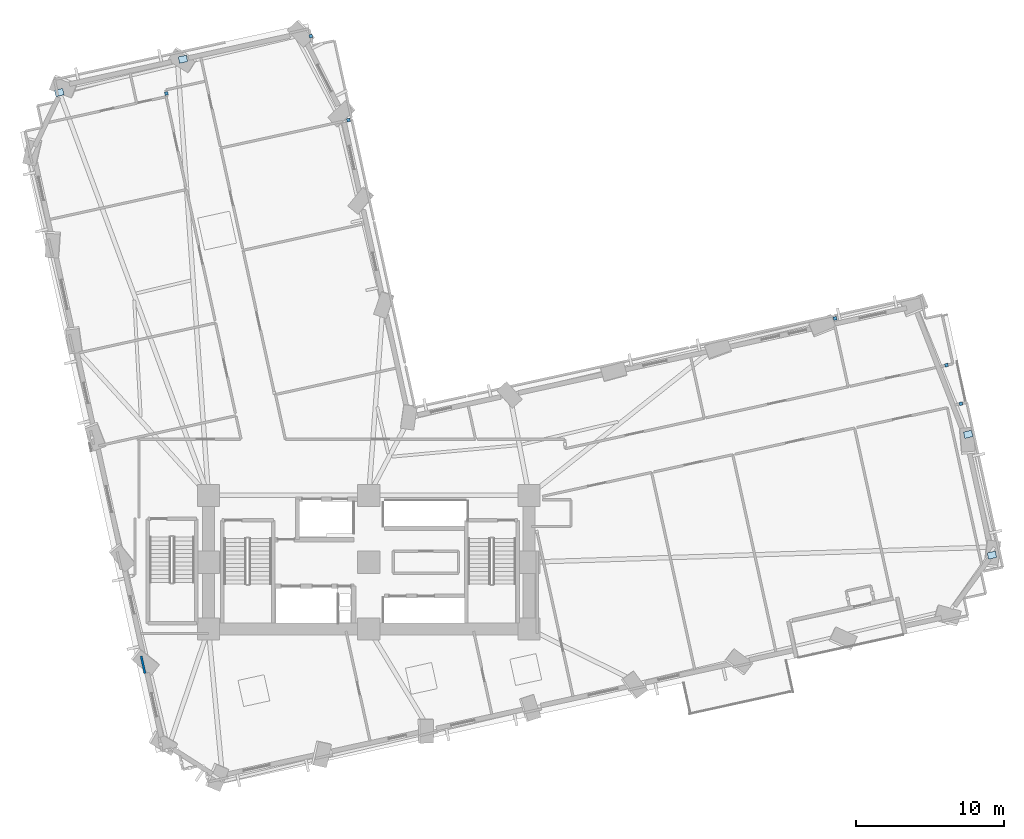
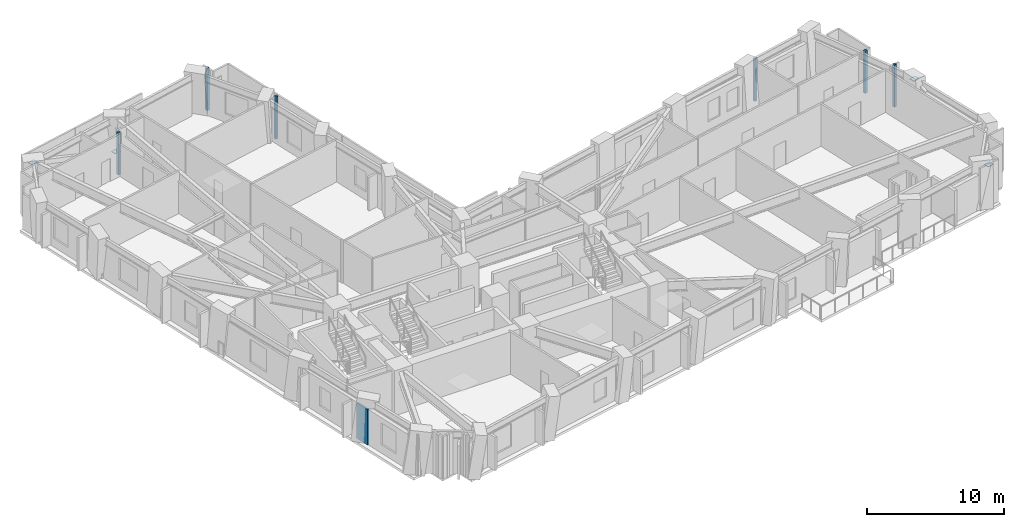
# One storey, part 5 of 14: 10 plates, 1 wall.
"""IFC4 building model written with IfcOpenShell, lengths in metres."""

from ifc_helpers import new_model, si_unit, direction, frame, frame_2d, origin, origin_2d, place, context, subcontext, project, spatial, rectangle, extrude, material, layer, layer_set, type_object, element, save


model = new_model("IFC4")

# Units and contexts
model_context = context("Model", 3, precision=1e-05, world=origin(), true_north=direction((0.0, 1.0)))
body_context = subcontext(model_context, "Body", "Model", "MODEL_VIEW")
ifc_project = project(units=[si_unit("LENGTHUNIT", "METRE"), si_unit("AREAUNIT", "SQUARE_METRE"), si_unit("VOLUMEUNIT", "CUBIC_METRE"), si_unit("PLANEANGLEUNIT", "RADIAN"), si_unit("MASSUNIT", "GRAM", prefix="KILO")], contexts=[model_context])

# Site, building, storey
site_placement = place(None, origin())
site = spatial("IfcSite", under=ifc_project, at=site_placement, CompositionType="ELEMENT")
building_placement = place(site_placement, origin())
building = spatial("IfcBuilding", under=site, at=building_placement, Name="Gaonmaruhae Medical Tower", CompositionType="ELEMENT")
storey_placement = place(building_placement, frame((0.0, 0.0, 75.0)))
storey = spatial("IfcBuildingStorey", under=building, at=storey_placement, Name="L17", CompositionType="ELEMENT", Elevation=75.0)

# Plates
ifc_material_1 = material(Name="Steel HSA650 (650 MPa)", Category="steel")
ifc_layer_1 = layer(ifc_material_1, 0.028076171875)
ifc_layer_set_1 = layer_set([ifc_layer_1], Name="Steel HSA650 (650 MPa)")
plate_type_1 = type_object("IfcPlateType", Name="GP-02 Tube Brace End Cap Gusset Plate", PredefinedType="USERDEFINED", material=ifc_layer_set_1)
for number, where, z_axis, x_axis, name in (
    (1, (66.791015625, 12.7705078125, 0.23583984375), (0.0, 0.0, 1.0), (0.976859298345, 0.213882938162, 0.0), "L17 Gusset Cap Plate PLT-L17-PBR-E01A"),
    (2, (65.19140625, 20.913330078125, 3.51611328125), (0.0, 0.0, 1.0), (0.973178872777, 0.230049737188, 0.0), "L17 Gusset Cap Plate PLT-L17-PBR-E01B"),
    (3, (12.28271484375, 46.185546875, 0.23583984375), (0.0, 0.0, 1.0), (0.976859298345, 0.213882938162, 0.0), "L17 Gusset Cap Plate PLT-L17-PBR-N02A"),
    (4, (3.950927734375, 43.942626953125, 3.51611328125), (0.0, 0.0, 1.0), (0.973178872777, 0.230049737188, 0.0), "L17 Gusset Cap Plate PLT-L17-PBR-N02B"),
):
    element("IfcPlate", number, at=place(storey_placement, frame(where, z_axis=z_axis, x_axis=x_axis)), inside=storey, type_object=plate_type_1, Name=name, ObjectType="GUSSET_PLATE", PredefinedType="USERDEFINED", context=body_context, shape_type="SweptSolid", body=[
        extrude(rectangle(XDim=0.56005859375, YDim=0.43994140625, at=origin_2d()), origin(), (0.0, 0.0, 1.0), 0.028076171875),
    ])
ifc_material_2 = material(Name="Anodised aluminium 6063-T6", Category="aluminium")
ifc_layer_2 = layer(ifc_material_2, 0.011962890625)
ifc_layer_set_2 = layer_set([ifc_layer_2], Name="Anodised aluminium 6063-T6")
plate_type_2 = type_object("IfcPlateType", Name="PP-01 Interior Partition Corner Stiffener Plate", PredefinedType="SHEET", material=ifc_layer_set_2)
for number, where, z_axis, x_axis, name in (
    (5, (63.73095703125, 25.572509765625, 0.0), (0.0, 0.0, 1.0), (-0.976795795002, -0.214172768731, 0.0), "L17 Partition Corner Stiffener Plate PLT-L17-JGP-PW075"),
    (6, (56.220458984375, 28.721435546875, 0.0), (0.0, 0.0, 1.0), (-0.214633049108, 0.97669476001, 0.0), "L17 Partition Corner Stiffener Plate PLT-L17-JGP-PW077"),
    (7, (23.4365234375, 42.08642578125, 0.0), (0.0, 0.0, 1.0), (0.976743433563, 0.214411438574, 0.0), "L17 Partition Corner Stiffener Plate PLT-L17-JGP-PW085"),
    (8, (20.8984375, 47.7470703125, 0.0), (0.0, 0.0, 1.0), (0.213115648775, -0.977026980307, 0.0), "L17 Partition Corner Stiffener Plate PLT-L17-JGP-PW090"),
    (9, (11.169921875, 43.883056640625, 0.0), (0.0, 0.0, 1.0), (0.214956921548, -0.976623531295, 0.0), "L17 Partition Corner Stiffener Plate PLT-L17-JGP-PW099"),
    (10, (64.699951171875, 22.9794921875, 0.0), (0.0, 0.0, 1.0), (0.976900342918, 0.213695390699, 0.0), "L17 Partition Corner Stiffener Plate PLT-L17-JGP-PW100"),
):
    element("IfcPlate", number, at=place(storey_placement, frame(where, z_axis=z_axis, x_axis=x_axis)), inside=storey, type_object=plate_type_2, Name=name, PredefinedType="SHEET", context=body_context, shape_type="SweptSolid", body=[
        extrude(rectangle(XDim=0.219970703125, YDim=0.219970703125, at=origin_2d()), origin(), (0.0, 0.0, 1.0), 3.780029296875),
    ])

# Wall
ifc_material_3 = material(Name="Gypsum board partition", Category="gypsum")
ifc_layer_3 = layer(ifc_material_3, 0.14990234375)
ifc_layer_set_3 = layer_set([ifc_layer_3], Name="Gypsum board partition")
wall_type = type_object("IfcWallType", Name="PW-150 Rated Clinical Corridor Partition", PredefinedType="PARTITIONING", material=ifc_layer_set_3)
wall_placement = place(storey_placement, frame((9.72412109375, 4.806884765625, 0.0), z_axis=(0.0, 0.0, 1.0), x_axis=(-0.214526259272, 0.976718221435, 0.0)))
element("IfcWall", 11, at=wall_placement, inside=storey, type_object=wall_type, Name="L17 Interior Partition L17-SUP01-13", PredefinedType="PARTITIONING", context=body_context, shape_type="SweptSolid", body=[
    extrude(rectangle(XDim=1.19384765625, YDim=0.14990234375, at=frame_2d((0.596923828125, 0.0))), origin(), (0.0, 0.0, 1.0), 3.1650390625),
])

save(model, "model.ifc")
